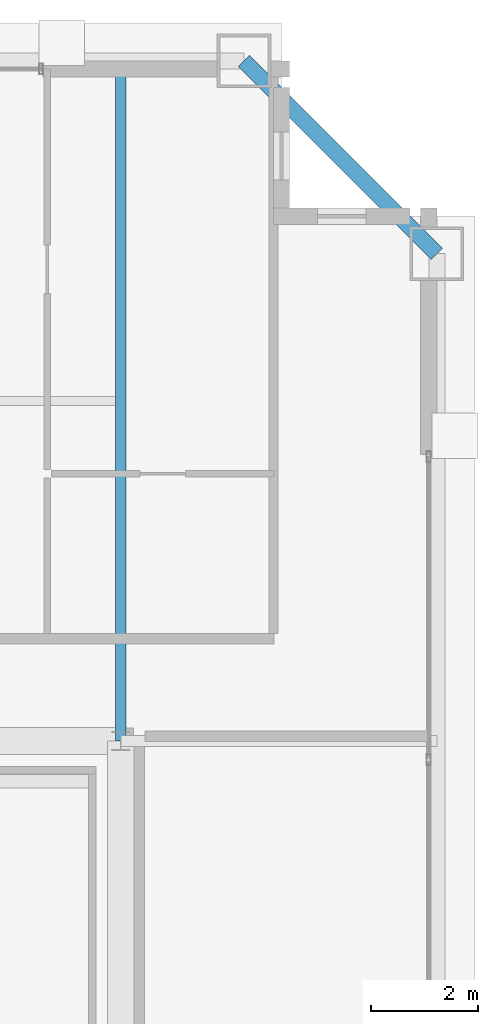
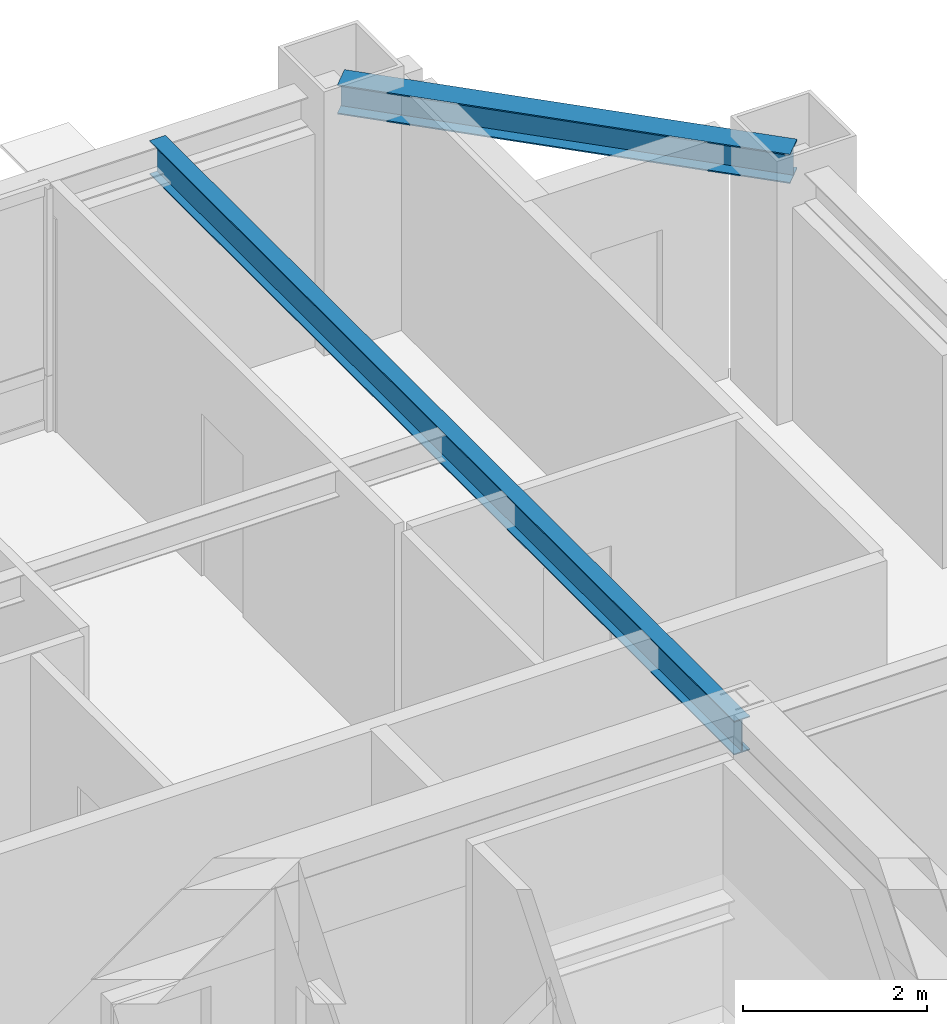
# One storey, part 20 of 35: 2 beams.
"""IFC4 building model written with IfcOpenShell, lengths in metres."""

from ifc_helpers import new_model, si_unit, direction, frame, origin, origin_2d, place, context, subcontext, project, spatial, i_section, extrude, source, transform, mapped, material, material_profile, profile_set, type_object, element, save


model = new_model("IFC4")

# Units and contexts
model_context = context("Model", 3, precision=1e-05, world=origin(), true_north=direction((0.0, 1.0)))
body_context = subcontext(model_context, "Body", "Model", "MODEL_VIEW")
ifc_project = project(units=[si_unit("LENGTHUNIT", "METRE"), si_unit("AREAUNIT", "SQUARE_METRE"), si_unit("VOLUMEUNIT", "CUBIC_METRE"), si_unit("PLANEANGLEUNIT", "RADIAN"), si_unit("MASSUNIT", "GRAM", prefix="KILO"), si_unit("THERMODYNAMICTEMPERATUREUNIT", "KELVIN"), si_unit("POWERUNIT", "WATT")], contexts=[model_context])

# Site, building, storey
site_placement = place(None, origin())
site = spatial("IfcSite", under=ifc_project, at=site_placement, CompositionType="ELEMENT")
building_placement = place(site_placement, origin())
building = spatial("IfcBuilding", under=site, at=building_placement, Name="Yuzanri Waterfront Tower", CompositionType="ELEMENT")
storey_placement = place(building_placement, frame((0.0, 0.0, 303.10009765625)))
storey = spatial("IfcBuildingStorey", under=building, at=storey_placement, Name="L81", CompositionType="ELEMENT", Elevation=303.10009765625)

# Beams
ifc_material_1 = material(Name="Steel Q355B", Category="steel")
ifc_material_profile_1 = material_profile(ifc_material_1, i_section(OverallWidth=0.300048828125, OverallDepth=0.389892578125, WebThickness=0.010009765625, FlangeThickness=0.01611328125, at=origin_2d()), Name="HM 390x300x10x16")
ifc_profile_set_1 = profile_set([ifc_material_profile_1], Name="Steel Q355B")
beam_type_1 = type_object("IfcBeamType", Name="Perimeter Spandrel Q355B HM 390x300", PredefinedType="SPANDREL", material=ifc_profile_set_1)
shared_shape_1 = source(origin(), body_context, "Body", "SweptSolid", [
    extrude(i_section(OverallWidth=0.300048828125, OverallDepth=0.389892578125, WebThickness=0.010009765625, FlangeThickness=0.01611328125, at=origin_2d()), origin(), (0.0, 0.0, 1.0), 5.091064453125),
])
beam_1_placement = place(storey_placement, frame((56.10009765625, 41.300048828125, 3.02490234375), z_axis=(-0.707130757816, 0.707082803744, 0.0), x_axis=(-0.707082803744, -0.707130757816, 0.0)))
element("IfcBeam", 1, at=beam_1_placement, inside=storey, type_object=beam_type_1, Name="L81 Perimeter Spandrel E3-N3", PredefinedType="SPANDREL", context=body_context, shape_type="MappedRepresentation", body=[
    mapped(shared_shape_1, transform((0.0, 0.0, 0.0), scale=1.0)),
])
ifc_material_2 = material(Name="Steel Q355B", Category="steel")
ifc_material_profile_2 = material_profile(ifc_material_2, i_section(OverallWidth=0.199951171875, OverallDepth=0.449951171875, WebThickness=0.009033203125, FlangeThickness=0.013916015625, at=origin_2d()), Name="HN 450x200x9x14")
ifc_profile_set_2 = profile_set([ifc_material_profile_2], Name="Steel Q355B")
beam_type_2 = type_object("IfcBeamType", Name="Secondary Floor Beam Q355B HN 450x200", PredefinedType="BEAM", material=ifc_profile_set_2)
shared_shape_2 = source(origin(), body_context, "Body", "SweptSolid", [
    extrude(i_section(OverallWidth=0.199951171875, OverallDepth=0.449951171875, WebThickness=0.009033203125, FlangeThickness=0.013916015625, at=origin_2d()), origin(), (0.0, 0.0, 1.0), 12.699951171875),
])
beam_2_placement = place(storey_placement, frame((50.199951171875, 32.199951171875, 2.994873046875), z_axis=(0.0, 1.0, 0.0), x_axis=(-1.0, 0.0, 0.0)))
element("IfcBeam", 2, at=beam_2_placement, inside=storey, type_object=beam_type_2, Name="L81 North-East Core Line Beam", PredefinedType="BEAM", context=body_context, shape_type="MappedRepresentation", body=[
    mapped(shared_shape_2, transform((0.0, 0.0, 0.0), scale=1.0)),
])

save(model, "model.ifc")
